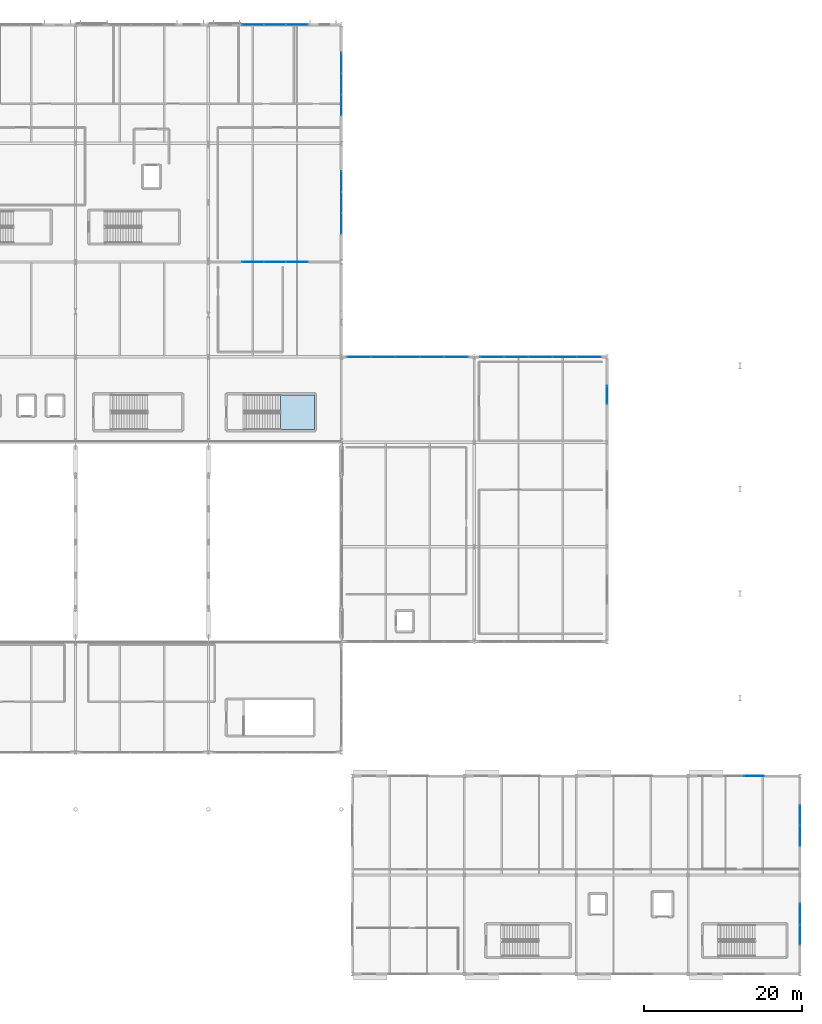
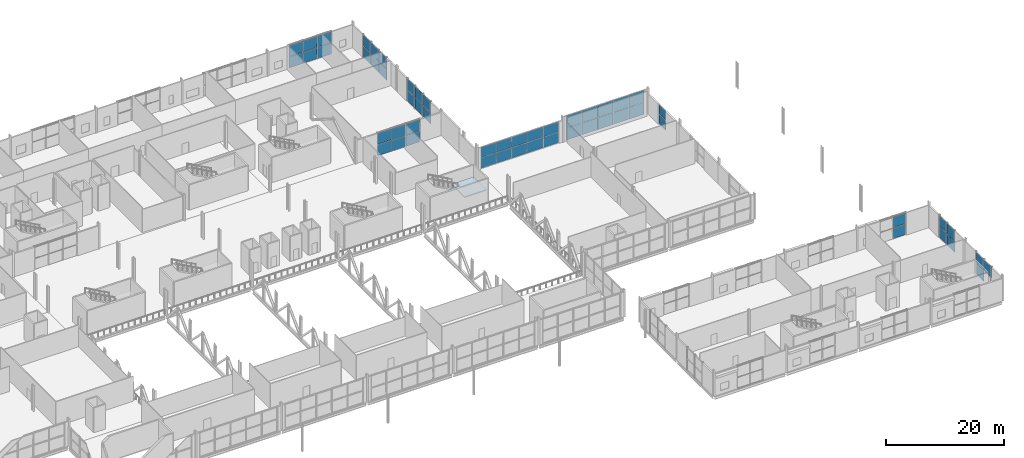
# One storey, part 53 of 84: 55 plates, 1 slab, 11 elements without a shape of their own.
"""IFC4 building model written with IfcOpenShell, lengths in metres."""

from ifc_helpers import new_model, si_unit, direction, frame, origin, origin_2d, place, context, subcontext, project, spatial, polyline, rectangle, outline, extrude, material, layer, layer_set, type_object, element, aggregate, save


model = new_model("IFC4")

# Units and contexts
model_context = context("Model", 3, precision=1e-05, world=origin(), true_north=direction((0.0, 1.0)))
body_context = subcontext(model_context, "Body", "Model", "MODEL_VIEW")
ifc_project = project(units=[si_unit("LENGTHUNIT", "METRE"), si_unit("AREAUNIT", "SQUARE_METRE"), si_unit("VOLUMEUNIT", "CUBIC_METRE"), si_unit("PLANEANGLEUNIT", "RADIAN"), si_unit("MASSUNIT", "GRAM", prefix="KILO")], contexts=[model_context])

# Site, building, storey
site_placement = place(None, origin())
site = spatial("IfcSite", under=ifc_project, at=site_placement, CompositionType="ELEMENT")
building_placement = place(site_placement, origin())
building = spatial("IfcBuilding", under=site, at=building_placement, Name="Kimbaza Rail Terminus", CompositionType="ELEMENT")
storey_placement = place(building_placement, frame((0.0, 0.0, 5.39990234375)))
storey = spatial("IfcBuildingStorey", under=building, at=storey_placement, Name="L01", CompositionType="ELEMENT", Elevation=5.39990234375)

# Curtain wall, plates
ifc_material_1 = material(Name="Anodised aluminium framing and solar low-E glazing", Category="aluminium")
curtain_wall_type_1 = type_object("IfcCurtainWallType", Name="ARC-CW-TH1", PredefinedType="USERDEFINED", material=ifc_material_1)
curtain_wall_1_placement = place(storey_placement, origin())
curtain_wall_1 = element("IfcCurtainWall", 1, at=curtain_wall_1_placement, inside=storey, type_object=curtain_wall_type_1, Name="Ticket Hall Wing E Curtain Wall L01.1", ObjectType="UNITISED CURTAIN WALL", PredefinedType="USERDEFINED")
ifc_material_2 = material(Name="Solar-control double low-E glazing", Category="glass")
ifc_layer_1 = layer(ifc_material_2, 0.035888671875)
ifc_layer_set_1 = layer_set([ifc_layer_1], Name="Solar-control double low-E glazing")
plate_type_1 = type_object("IfcPlateType", Name="ARC-CWP-01", PredefinedType="CURTAIN_PANEL", material=ifc_layer_set_1)
plate_1_placement = place(storey_placement, frame((158.274658203125, 91.0, 0.0751953125), z_axis=(0.0, 0.0, 1.0), x_axis=(1.0, 0.0, 0.0)))
plate_1 = element("IfcPlate", 2, at=plate_1_placement, type_object=plate_type_1, Name="CW-01 panel 1.1", PredefinedType="CURTAIN_PANEL", context=body_context, shape_type="SweptSolid", body=[
    extrude(rectangle(XDim=2.95947265625, YDim=0.035888671875, at=origin_2d()), origin(), (0.0, 0.0, 1.0), 2.1298828125),
])
plate_2_placement = place(storey_placement, frame((158.274658203125, 91.0, 2.2802734375), z_axis=(0.0, 0.0, 1.0), x_axis=(1.0, 0.0, 0.0)))
plate_2 = element("IfcPlate", 3, at=plate_2_placement, type_object=plate_type_1, Name="CW-01 panel 1.2", PredefinedType="CURTAIN_PANEL", context=body_context, shape_type="SweptSolid", body=[
    extrude(rectangle(XDim=2.95947265625, YDim=0.035888671875, at=origin_2d()), origin(), (0.0, 0.0, 1.0), 2.1298828125),
])
plate_3_placement = place(storey_placement, frame((161.327880859375, 91.0, 0.0751953125), z_axis=(0.0, 0.0, 1.0), x_axis=(1.0, 0.0, 0.0)))
plate_3 = element("IfcPlate", 4, at=plate_3_placement, type_object=plate_type_1, Name="CW-01 panel 2.1", PredefinedType="CURTAIN_PANEL", context=body_context, shape_type="SweptSolid", body=[
    extrude(rectangle(XDim=2.9970703125, YDim=0.035888671875, at=origin_2d()), origin(), (0.0, 0.0, 1.0), 2.1298828125),
])
plate_4_placement = place(storey_placement, frame((161.327880859375, 91.0, 2.2802734375), z_axis=(0.0, 0.0, 1.0), x_axis=(1.0, 0.0, 0.0)))
plate_4 = element("IfcPlate", 5, at=plate_4_placement, type_object=plate_type_1, Name="CW-01 panel 2.2", PredefinedType="CURTAIN_PANEL", context=body_context, shape_type="SweptSolid", body=[
    extrude(rectangle(XDim=2.9970703125, YDim=0.035888671875, at=origin_2d()), origin(), (0.0, 0.0, 1.0), 2.1298828125),
])
plate_5_placement = place(storey_placement, frame((164.39990234375, 91.0, 0.0751953125), z_axis=(0.0, 0.0, 1.0), x_axis=(1.0, 0.0, 0.0)))
plate_5 = element("IfcPlate", 6, at=plate_5_placement, type_object=plate_type_1, Name="CW-01 panel 3.1", PredefinedType="CURTAIN_PANEL", context=body_context, shape_type="SweptSolid", body=[
    extrude(rectangle(XDim=2.9970703125, YDim=0.035888671875, at=origin_2d()), origin(), (0.0, 0.0, 1.0), 2.1298828125),
])
plate_6_placement = place(storey_placement, frame((164.39990234375, 91.0, 2.2802734375), z_axis=(0.0, 0.0, 1.0), x_axis=(1.0, 0.0, 0.0)))
plate_6 = element("IfcPlate", 7, at=plate_6_placement, type_object=plate_type_1, Name="CW-01 panel 3.2", PredefinedType="CURTAIN_PANEL", context=body_context, shape_type="SweptSolid", body=[
    extrude(rectangle(XDim=2.9970703125, YDim=0.035888671875, at=origin_2d()), origin(), (0.0, 0.0, 1.0), 2.1298828125),
])
plate_7_placement = place(storey_placement, frame((167.471923828125, 91.0, 0.0751953125), z_axis=(0.0, 0.0, 1.0), x_axis=(1.0, 0.0, 0.0)))
plate_7 = element("IfcPlate", 8, at=plate_7_placement, type_object=plate_type_1, Name="CW-01 panel 4.1", PredefinedType="CURTAIN_PANEL", context=body_context, shape_type="SweptSolid", body=[
    extrude(rectangle(XDim=2.9970703125, YDim=0.035888671875, at=origin_2d()), origin(), (0.0, 0.0, 1.0), 2.1298828125),
])
plate_8_placement = place(storey_placement, frame((167.471923828125, 91.0, 2.2802734375), z_axis=(0.0, 0.0, 1.0), x_axis=(1.0, 0.0, 0.0)))
plate_8 = element("IfcPlate", 9, at=plate_8_placement, type_object=plate_type_1, Name="CW-01 panel 4.2", PredefinedType="CURTAIN_PANEL", context=body_context, shape_type="SweptSolid", body=[
    extrude(rectangle(XDim=2.9970703125, YDim=0.035888671875, at=origin_2d()), origin(), (0.0, 0.0, 1.0), 2.1298828125),
])
plate_9_placement = place(storey_placement, frame((170.525146484375, 91.0, 0.0751953125), z_axis=(0.0, 0.0, 1.0), x_axis=(1.0, 0.0, 0.0)))
plate_9 = element("IfcPlate", 10, at=plate_9_placement, type_object=plate_type_1, Name="CW-01 panel 5.1", PredefinedType="CURTAIN_PANEL", context=body_context, shape_type="SweptSolid", body=[
    extrude(rectangle(XDim=2.95947265625, YDim=0.035888671875, at=origin_2d()), origin(), (0.0, 0.0, 1.0), 2.1298828125),
])
plate_10_placement = place(storey_placement, frame((170.525146484375, 91.0, 2.2802734375), z_axis=(0.0, 0.0, 1.0), x_axis=(1.0, 0.0, 0.0)))
plate_10 = element("IfcPlate", 11, at=plate_10_placement, type_object=plate_type_1, Name="CW-01 panel 5.2", PredefinedType="CURTAIN_PANEL", context=body_context, shape_type="SweptSolid", body=[
    extrude(rectangle(XDim=2.95947265625, YDim=0.035888671875, at=origin_2d()), origin(), (0.0, 0.0, 1.0), 2.1298828125),
])
aggregate(curtain_wall_1, [plate_1, plate_2, plate_3, plate_4, plate_5, plate_6, plate_7, plate_8, plate_9, plate_10])

curtain_wall_2_placement = place(storey_placement, origin())
curtain_wall_2 = element("IfcCurtainWall", 12, at=curtain_wall_2_placement, inside=storey, type_object=curtain_wall_type_1, Name="Ticket Hall Wing E Curtain Wall L01.2", ObjectType="UNITISED CURTAIN WALL", PredefinedType="USERDEFINED")
plate_11_placement = place(storey_placement, frame((175.07470703125, 91.0, 0.0751953125), z_axis=(0.0, 0.0, 1.0), x_axis=(1.0, 0.0, 0.0)))
plate_11 = element("IfcPlate", 13, at=plate_11_placement, type_object=plate_type_1, Name="CW-01 panel 1.1", PredefinedType="CURTAIN_PANEL", context=body_context, shape_type="SweptSolid", body=[
    extrude(rectangle(XDim=2.95947265625, YDim=0.035888671875, at=origin_2d()), origin(), (0.0, 0.0, 1.0), 2.45751953125),
])
plate_12_placement = place(storey_placement, frame((175.07470703125, 91.0, 2.607666015625), z_axis=(0.0, 0.0, 1.0), x_axis=(1.0, 0.0, 0.0)))
plate_12 = element("IfcPlate", 14, at=plate_12_placement, type_object=plate_type_1, Name="CW-01 panel 1.2", PredefinedType="CURTAIN_PANEL", context=body_context, shape_type="SweptSolid", body=[
    extrude(rectangle(XDim=2.95947265625, YDim=0.035888671875, at=origin_2d()), origin(), (0.0, 0.0, 1.0), 2.45751953125),
])
plate_13_placement = place(storey_placement, frame((178.1279296875, 91.0, 0.0751953125), z_axis=(0.0, 0.0, 1.0), x_axis=(1.0, 0.0, 0.0)))
plate_13 = element("IfcPlate", 15, at=plate_13_placement, type_object=plate_type_1, Name="CW-01 panel 2.1", PredefinedType="CURTAIN_PANEL", context=body_context, shape_type="SweptSolid", body=[
    extrude(rectangle(XDim=2.9970703125, YDim=0.035888671875, at=origin_2d()), origin(), (0.0, 0.0, 1.0), 2.45751953125),
])
plate_14_placement = place(storey_placement, frame((178.1279296875, 91.0, 2.607666015625), z_axis=(0.0, 0.0, 1.0), x_axis=(1.0, 0.0, 0.0)))
plate_14 = element("IfcPlate", 16, at=plate_14_placement, type_object=plate_type_1, Name="CW-01 panel 2.2", PredefinedType="CURTAIN_PANEL", context=body_context, shape_type="SweptSolid", body=[
    extrude(rectangle(XDim=2.9970703125, YDim=0.035888671875, at=origin_2d()), origin(), (0.0, 0.0, 1.0), 2.45751953125),
])
plate_15_placement = place(storey_placement, frame((181.199951171875, 91.0, 0.0751953125), z_axis=(0.0, 0.0, 1.0), x_axis=(1.0, 0.0, 0.0)))
plate_15 = element("IfcPlate", 17, at=plate_15_placement, type_object=plate_type_1, Name="CW-01 panel 3.1", PredefinedType="CURTAIN_PANEL", context=body_context, shape_type="SweptSolid", body=[
    extrude(rectangle(XDim=2.9970703125, YDim=0.035888671875, at=origin_2d()), origin(), (0.0, 0.0, 1.0), 2.45751953125),
])
plate_16_placement = place(storey_placement, frame((181.199951171875, 91.0, 2.607666015625), z_axis=(0.0, 0.0, 1.0), x_axis=(1.0, 0.0, 0.0)))
plate_16 = element("IfcPlate", 18, at=plate_16_placement, type_object=plate_type_1, Name="CW-01 panel 3.2", PredefinedType="CURTAIN_PANEL", context=body_context, shape_type="SweptSolid", body=[
    extrude(rectangle(XDim=2.9970703125, YDim=0.035888671875, at=origin_2d()), origin(), (0.0, 0.0, 1.0), 2.45751953125),
])
plate_17_placement = place(storey_placement, frame((184.27197265625, 91.0, 0.0751953125), z_axis=(0.0, 0.0, 1.0), x_axis=(1.0, 0.0, 0.0)))
plate_17 = element("IfcPlate", 19, at=plate_17_placement, type_object=plate_type_1, Name="CW-01 panel 4.1", PredefinedType="CURTAIN_PANEL", context=body_context, shape_type="SweptSolid", body=[
    extrude(rectangle(XDim=2.9970703125, YDim=0.035888671875, at=origin_2d()), origin(), (0.0, 0.0, 1.0), 2.45751953125),
])
plate_18_placement = place(storey_placement, frame((184.27197265625, 91.0, 2.607666015625), z_axis=(0.0, 0.0, 1.0), x_axis=(1.0, 0.0, 0.0)))
plate_18 = element("IfcPlate", 20, at=plate_18_placement, type_object=plate_type_1, Name="CW-01 panel 4.2", PredefinedType="CURTAIN_PANEL", context=body_context, shape_type="SweptSolid", body=[
    extrude(rectangle(XDim=2.9970703125, YDim=0.035888671875, at=origin_2d()), origin(), (0.0, 0.0, 1.0), 2.45751953125),
])
plate_19_placement = place(storey_placement, frame((187.3251953125, 91.0, 0.0751953125), z_axis=(0.0, 0.0, 1.0), x_axis=(1.0, 0.0, 0.0)))
plate_19 = element("IfcPlate", 21, at=plate_19_placement, type_object=plate_type_1, Name="CW-01 panel 5.1", PredefinedType="CURTAIN_PANEL", context=body_context, shape_type="SweptSolid", body=[
    extrude(rectangle(XDim=2.95947265625, YDim=0.035888671875, at=origin_2d()), origin(), (0.0, 0.0, 1.0), 2.45751953125),
])
plate_20_placement = place(storey_placement, frame((187.3251953125, 91.0, 2.607666015625), z_axis=(0.0, 0.0, 1.0), x_axis=(1.0, 0.0, 0.0)))
plate_20 = element("IfcPlate", 22, at=plate_20_placement, type_object=plate_type_1, Name="CW-01 panel 5.2", PredefinedType="CURTAIN_PANEL", context=body_context, shape_type="SweptSolid", body=[
    extrude(rectangle(XDim=2.95947265625, YDim=0.035888671875, at=origin_2d()), origin(), (0.0, 0.0, 1.0), 2.45751953125),
])
aggregate(curtain_wall_2, [plate_11, plate_12, plate_13, plate_14, plate_15, plate_16, plate_17, plate_18, plate_19, plate_20])

curtain_wall_3_placement = place(storey_placement, origin())
curtain_wall_3 = element("IfcCurtainWall", 23, at=curtain_wall_3_placement, inside=storey, type_object=curtain_wall_type_1, Name="Ticket Hall E Glazing L01.3", ObjectType="UNITISED CURTAIN WALL", PredefinedType="USERDEFINED")
plate_21_placement = place(storey_placement, frame((189.60009765625, 86.199951171875, 0.0751953125), z_axis=(0.0, 0.0, 1.0), x_axis=(0.0, 1.0, 0.0)))
plate_21 = element("IfcPlate", 24, at=plate_21_placement, type_object=plate_type_1, Name="CW-01 panel 1.1", PredefinedType="CURTAIN_PANEL", context=body_context, shape_type="SweptSolid", body=[
    extrude(rectangle(XDim=2.25, YDim=0.035888671875, at=origin_2d()), origin(), (0.0, 0.0, 1.0), 1.949951171875),
])
plate_22_placement = place(storey_placement, frame((189.60009765625, 86.199951171875, 2.10009765625), z_axis=(0.0, 0.0, 1.0), x_axis=(0.0, 1.0, 0.0)))
plate_22 = element("IfcPlate", 25, at=plate_22_placement, type_object=plate_type_1, Name="CW-01 panel 1.2", PredefinedType="CURTAIN_PANEL", context=body_context, shape_type="SweptSolid", body=[
    extrude(rectangle(XDim=2.25, YDim=0.035888671875, at=origin_2d()), origin(), (0.0, 0.0, 1.0), 1.949951171875),
])
aggregate(curtain_wall_3, [plate_21, plate_22])

ifc_material_3 = material(Name="Anodised aluminium framing and solar low-E glazing", Category="aluminium")
curtain_wall_type_2 = type_object("IfcCurtainWallType", Name="ARC-CW-PV1", PredefinedType="USERDEFINED", material=ifc_material_3)
curtain_wall_4_placement = place(storey_placement, origin())
curtain_wall_4 = element("IfcCurtainWall", 26, at=curtain_wall_4_placement, inside=storey, type_object=curtain_wall_type_2, Name="Pavilion N Curtain Wall L01.4", ObjectType="STICK CURTAIN WALL", PredefinedType="USERDEFINED")
ifc_material_4 = material(Name="Solar-control double low-E glazing", Category="glass")
ifc_layer_2 = layer(ifc_material_4, 0.027099609375)
ifc_layer_set_2 = layer_set([ifc_layer_2], Name="Solar-control double low-E glazing")
plate_type_2 = type_object("IfcPlateType", Name="ARC-CWP-04", PredefinedType="CURTAIN_PANEL", material=ifc_layer_set_2)
plate_23_placement = place(storey_placement, frame((208.1962890625, 38.0, 0.06494140625), z_axis=(0.0, 0.0, 1.0), x_axis=(1.0, 0.0, 0.0)))
plate_23 = element("IfcPlate", 27, at=plate_23_placement, type_object=plate_type_2, Name="CW-04 panel 2.1", PredefinedType="CURTAIN_PANEL", context=body_context, shape_type="SweptSolid", body=[
    extrude(rectangle(XDim=2.4775390625, YDim=0.027099609375, at=origin_2d()), origin(), (0.0, 0.0, 1.0), 2.215087890625),
])
plate_24_placement = place(storey_placement, frame((208.1962890625, 38.0, 2.34521484375), z_axis=(0.0, 0.0, 1.0), x_axis=(1.0, 0.0, 0.0)))
plate_24 = element("IfcPlate", 28, at=plate_24_placement, type_object=plate_type_2, Name="CW-04 panel 2.2", PredefinedType="CURTAIN_PANEL", context=body_context, shape_type="SweptSolid", body=[
    extrude(rectangle(XDim=2.4775390625, YDim=0.027099609375, at=origin_2d()), origin(), (0.0, 0.0, 1.0), 2.215087890625),
])
aggregate(curtain_wall_4, [plate_23, plate_24])

curtain_wall_5_placement = place(storey_placement, origin())
curtain_wall_5 = element("IfcCurtainWall", 29, at=curtain_wall_5_placement, inside=storey, type_object=curtain_wall_type_2, Name="Pavilion E Curtain Wall L01.1", ObjectType="STICK CURTAIN WALL", PredefinedType="USERDEFINED")
plate_25_placement = place(storey_placement, frame((214.0, 17.941162109375, 2.3701171875), z_axis=(0.0, 0.0, 1.0), x_axis=(0.0, 1.0, 0.0)))
plate_25 = element("IfcPlate", 30, at=plate_25_placement, type_object=plate_type_2, Name="CW-04 panel 1.2", PredefinedType="CURTAIN_PANEL", context=body_context, shape_type="SweptSolid", body=[
    extrude(rectangle(XDim=2.552490234375, YDim=0.027099609375, at=origin_2d()), origin(), (0.0, 0.0, 1.0), 2.239990234375),
])
plate_26_placement = place(storey_placement, frame((214.0, 20.558837890625, 0.06494140625), z_axis=(0.0, 0.0, 1.0), x_axis=(0.0, 1.0, 0.0)))
plate_26 = element("IfcPlate", 31, at=plate_26_placement, type_object=plate_type_2, Name="CW-04 panel 2.1", PredefinedType="CURTAIN_PANEL", context=body_context, shape_type="SweptSolid", body=[
    extrude(rectangle(XDim=2.552490234375, YDim=0.027099609375, at=origin_2d()), origin(), (0.0, 0.0, 1.0), 2.239990234375),
])
plate_27_placement = place(storey_placement, frame((214.0, 20.558837890625, 2.3701171875), z_axis=(0.0, 0.0, 1.0), x_axis=(0.0, 1.0, 0.0)))
plate_27 = element("IfcPlate", 32, at=plate_27_placement, type_object=plate_type_2, Name="CW-04 panel 2.2", PredefinedType="CURTAIN_PANEL", context=body_context, shape_type="SweptSolid", body=[
    extrude(rectangle(XDim=2.552490234375, YDim=0.027099609375, at=origin_2d()), origin(), (0.0, 0.0, 1.0), 2.239990234375),
])
aggregate(curtain_wall_5, [plate_25, plate_26, plate_27])

curtain_wall_6_placement = place(storey_placement, origin())
curtain_wall_6 = element("IfcCurtainWall", 33, at=curtain_wall_6_placement, inside=storey, type_object=curtain_wall_type_2, Name="Pavilion E Curtain Wall L01.2", ObjectType="STICK CURTAIN WALL", PredefinedType="USERDEFINED")
plate_28_placement = place(storey_placement, frame((214.0, 30.441162109375, 0.06494140625), z_axis=(0.0, 0.0, 1.0), x_axis=(0.0, 1.0, 0.0)))
plate_28 = element("IfcPlate", 34, at=plate_28_placement, type_object=plate_type_2, Name="CW-04 panel 1.1", PredefinedType="CURTAIN_PANEL", context=body_context, shape_type="SweptSolid", body=[
    extrude(rectangle(XDim=2.552490234375, YDim=0.027099609375, at=origin_2d()), origin(), (0.0, 0.0, 1.0), 2.239990234375),
])
plate_29_placement = place(storey_placement, frame((214.0, 30.441162109375, 2.3701171875), z_axis=(0.0, 0.0, 1.0), x_axis=(0.0, 1.0, 0.0)))
plate_29 = element("IfcPlate", 35, at=plate_29_placement, type_object=plate_type_2, Name="CW-04 panel 1.2", PredefinedType="CURTAIN_PANEL", context=body_context, shape_type="SweptSolid", body=[
    extrude(rectangle(XDim=2.552490234375, YDim=0.027099609375, at=origin_2d()), origin(), (0.0, 0.0, 1.0), 2.239990234375),
])
plate_30_placement = place(storey_placement, frame((214.0, 33.058837890625, 0.06494140625), z_axis=(0.0, 0.0, 1.0), x_axis=(0.0, 1.0, 0.0)))
plate_30 = element("IfcPlate", 36, at=plate_30_placement, type_object=plate_type_2, Name="CW-04 panel 2.1", PredefinedType="CURTAIN_PANEL", context=body_context, shape_type="SweptSolid", body=[
    extrude(rectangle(XDim=2.552490234375, YDim=0.027099609375, at=origin_2d()), origin(), (0.0, 0.0, 1.0), 2.239990234375),
])
plate_31_placement = place(storey_placement, frame((214.0, 33.058837890625, 2.3701171875), z_axis=(0.0, 0.0, 1.0), x_axis=(0.0, 1.0, 0.0)))
plate_31 = element("IfcPlate", 37, at=plate_31_placement, type_object=plate_type_2, Name="CW-04 panel 2.2", PredefinedType="CURTAIN_PANEL", context=body_context, shape_type="SweptSolid", body=[
    extrude(rectangle(XDim=2.552490234375, YDim=0.027099609375, at=origin_2d()), origin(), (0.0, 0.0, 1.0), 2.239990234375),
])
aggregate(curtain_wall_6, [plate_28, plate_29, plate_30, plate_31])

ifc_material_5 = material(Name="Anodised aluminium framing and solar low-E glazing", Category="aluminium")
curtain_wall_type_3 = type_object("IfcCurtainWallType", Name="ARC-CW-OP1", PredefinedType="USERDEFINED", material=ifc_material_5)
curtain_wall_7_placement = place(storey_placement, origin())
curtain_wall_7 = element("IfcCurtainWall", 38, at=curtain_wall_7_placement, inside=storey, type_object=curtain_wall_type_3, Name="Operations North Curtain Wall L01 Bay 6", ObjectType="UNITISED CURTAIN WALL", PredefinedType="USERDEFINED")
ifc_material_6 = material(Name="Solar-control double low-E glazing", Category="glass")
ifc_layer_3 = layer(ifc_material_6, 0.02490234375)
ifc_layer_set_3 = layer_set([ifc_layer_3], Name="Solar-control double low-E glazing")
plate_type_3 = type_object("IfcPlateType", Name="ARC-CWP-05", PredefinedType="CURTAIN_PANEL", material=ifc_layer_set_3)
plate_32_placement = place(storey_placement, frame((144.8154296875, 133.0, 0.06201171875), z_axis=(0.0, 0.0, 1.0), x_axis=(1.0, 0.0, 0.0)))
plate_32 = element("IfcPlate", 39, at=plate_32_placement, type_object=plate_type_3, Name="CW-05 panel 1.1", PredefinedType="CURTAIN_PANEL", context=body_context, shape_type="SweptSolid", body=[
    extrude(rectangle(XDim=2.70703125, YDim=0.02490234375, at=origin_2d()), origin(), (0.0, 0.0, 1.0), 2.28955078125),
])
plate_33_placement = place(storey_placement, frame((144.8154296875, 133.0, 2.41357421875), z_axis=(0.0, 0.0, 1.0), x_axis=(1.0, 0.0, 0.0)))
plate_33 = element("IfcPlate", 40, at=plate_33_placement, type_object=plate_type_3, Name="CW-05 panel 1.2", PredefinedType="CURTAIN_PANEL", context=body_context, shape_type="SweptSolid", body=[
    extrude(rectangle(XDim=2.70703125, YDim=0.02490234375, at=origin_2d()), origin(), (0.0, 0.0, 1.0), 2.28955078125),
])
plate_34_placement = place(storey_placement, frame((147.60009765625, 133.0, 0.06201171875), z_axis=(0.0, 0.0, 1.0), x_axis=(1.0, 0.0, 0.0)))
plate_34 = element("IfcPlate", 41, at=plate_34_placement, type_object=plate_type_3, Name="CW-05 panel 2.1", PredefinedType="CURTAIN_PANEL", context=body_context, shape_type="SweptSolid", body=[
    extrude(rectangle(XDim=2.738037109375, YDim=0.02490234375, at=origin_2d()), origin(), (0.0, 0.0, 1.0), 2.28955078125),
])
plate_35_placement = place(storey_placement, frame((147.60009765625, 133.0, 2.41357421875), z_axis=(0.0, 0.0, 1.0), x_axis=(1.0, 0.0, 0.0)))
plate_35 = element("IfcPlate", 42, at=plate_35_placement, type_object=plate_type_3, Name="CW-05 panel 2.2", PredefinedType="CURTAIN_PANEL", context=body_context, shape_type="SweptSolid", body=[
    extrude(rectangle(XDim=2.738037109375, YDim=0.02490234375, at=origin_2d()), origin(), (0.0, 0.0, 1.0), 2.28955078125),
])
plate_36_placement = place(storey_placement, frame((150.384521484375, 133.0, 0.06201171875), z_axis=(0.0, 0.0, 1.0), x_axis=(1.0, 0.0, 0.0)))
plate_36 = element("IfcPlate", 43, at=plate_36_placement, type_object=plate_type_3, Name="CW-05 panel 3.1", PredefinedType="CURTAIN_PANEL", context=body_context, shape_type="SweptSolid", body=[
    extrude(rectangle(XDim=2.70703125, YDim=0.02490234375, at=origin_2d()), origin(), (0.0, 0.0, 1.0), 2.28955078125),
])
plate_37_placement = place(storey_placement, frame((150.384521484375, 133.0, 2.41357421875), z_axis=(0.0, 0.0, 1.0), x_axis=(1.0, 0.0, 0.0)))
plate_37 = element("IfcPlate", 44, at=plate_37_placement, type_object=plate_type_3, Name="CW-05 panel 3.2", PredefinedType="CURTAIN_PANEL", context=body_context, shape_type="SweptSolid", body=[
    extrude(rectangle(XDim=2.70703125, YDim=0.02490234375, at=origin_2d()), origin(), (0.0, 0.0, 1.0), 2.28955078125),
])
aggregate(curtain_wall_7, [plate_32, plate_33, plate_34, plate_35, plate_36, plate_37])

curtain_wall_8_placement = place(storey_placement, origin())
curtain_wall_8 = element("IfcCurtainWall", 45, at=curtain_wall_8_placement, inside=storey, type_object=curtain_wall_type_3, Name="Operations South Curtain Wall L01 Bay 6", ObjectType="UNITISED CURTAIN WALL", PredefinedType="USERDEFINED")
plate_38_placement = place(storey_placement, frame((144.8154296875, 103.0, 0.06201171875), z_axis=(0.0, 0.0, 1.0), x_axis=(1.0, 0.0, 0.0)))
plate_38 = element("IfcPlate", 46, at=plate_38_placement, type_object=plate_type_3, Name="CW-05 panel 1.1", PredefinedType="CURTAIN_PANEL", context=body_context, shape_type="SweptSolid", body=[
    extrude(rectangle(XDim=2.70703125, YDim=0.02490234375, at=origin_2d()), origin(), (0.0, 0.0, 1.0), 2.28955078125),
])
plate_39_placement = place(storey_placement, frame((144.8154296875, 103.0, 2.41357421875), z_axis=(0.0, 0.0, 1.0), x_axis=(1.0, 0.0, 0.0)))
plate_39 = element("IfcPlate", 47, at=plate_39_placement, type_object=plate_type_3, Name="CW-05 panel 1.2", PredefinedType="CURTAIN_PANEL", context=body_context, shape_type="SweptSolid", body=[
    extrude(rectangle(XDim=2.70703125, YDim=0.02490234375, at=origin_2d()), origin(), (0.0, 0.0, 1.0), 2.28955078125),
])
plate_40_placement = place(storey_placement, frame((147.60009765625, 103.0, 0.06201171875), z_axis=(0.0, 0.0, 1.0), x_axis=(1.0, 0.0, 0.0)))
plate_40 = element("IfcPlate", 48, at=plate_40_placement, type_object=plate_type_3, Name="CW-05 panel 2.1", PredefinedType="CURTAIN_PANEL", context=body_context, shape_type="SweptSolid", body=[
    extrude(rectangle(XDim=2.738037109375, YDim=0.02490234375, at=origin_2d()), origin(), (0.0, 0.0, 1.0), 2.28955078125),
])
plate_41_placement = place(storey_placement, frame((147.60009765625, 103.0, 2.41357421875), z_axis=(0.0, 0.0, 1.0), x_axis=(1.0, 0.0, 0.0)))
plate_41 = element("IfcPlate", 49, at=plate_41_placement, type_object=plate_type_3, Name="CW-05 panel 2.2", PredefinedType="CURTAIN_PANEL", context=body_context, shape_type="SweptSolid", body=[
    extrude(rectangle(XDim=2.738037109375, YDim=0.02490234375, at=origin_2d()), origin(), (0.0, 0.0, 1.0), 2.28955078125),
])
plate_42_placement = place(storey_placement, frame((150.384521484375, 103.0, 0.06201171875), z_axis=(0.0, 0.0, 1.0), x_axis=(1.0, 0.0, 0.0)))
plate_42 = element("IfcPlate", 50, at=plate_42_placement, type_object=plate_type_3, Name="CW-05 panel 3.1", PredefinedType="CURTAIN_PANEL", context=body_context, shape_type="SweptSolid", body=[
    extrude(rectangle(XDim=2.70703125, YDim=0.02490234375, at=origin_2d()), origin(), (0.0, 0.0, 1.0), 2.28955078125),
])
plate_43_placement = place(storey_placement, frame((150.384521484375, 103.0, 2.41357421875), z_axis=(0.0, 0.0, 1.0), x_axis=(1.0, 0.0, 0.0)))
plate_43 = element("IfcPlate", 51, at=plate_43_placement, type_object=plate_type_3, Name="CW-05 panel 3.2", PredefinedType="CURTAIN_PANEL", context=body_context, shape_type="SweptSolid", body=[
    extrude(rectangle(XDim=2.70703125, YDim=0.02490234375, at=origin_2d()), origin(), (0.0, 0.0, 1.0), 2.28955078125),
])
aggregate(curtain_wall_8, [plate_38, plate_39, plate_40, plate_41, plate_42, plate_43])

curtain_wall_9_placement = place(storey_placement, origin())
curtain_wall_9 = element("IfcCurtainWall", 52, at=curtain_wall_9_placement, inside=storey, type_object=curtain_wall_type_3, Name="Operations E Curtain Wall L01.1", ObjectType="UNITISED CURTAIN WALL", PredefinedType="USERDEFINED")
plate_44_placement = place(storey_placement, frame((156.0, 107.848876953125, 0.06201171875), z_axis=(0.0, 0.0, 1.0), x_axis=(0.0, 1.0, 0.0)))
plate_44 = element("IfcPlate", 53, at=plate_44_placement, type_object=plate_type_3, Name="CW-05 panel 1.1", PredefinedType="CURTAIN_PANEL", context=body_context, shape_type="SweptSolid", body=[
    extrude(rectangle(XDim=2.57373046875, YDim=0.02490234375, at=origin_2d()), origin(), (0.0, 0.0, 1.0), 2.28955078125),
])
plate_45_placement = place(storey_placement, frame((156.0, 107.848876953125, 2.41357421875), z_axis=(0.0, 0.0, 1.0), x_axis=(0.0, 1.0, 0.0)))
plate_45 = element("IfcPlate", 54, at=plate_45_placement, type_object=plate_type_3, Name="CW-05 panel 1.2", PredefinedType="CURTAIN_PANEL", context=body_context, shape_type="SweptSolid", body=[
    extrude(rectangle(XDim=2.57373046875, YDim=0.02490234375, at=origin_2d()), origin(), (0.0, 0.0, 1.0), 2.28955078125),
])
plate_46_placement = place(storey_placement, frame((156.0, 110.5, 0.06201171875), z_axis=(0.0, 0.0, 1.0), x_axis=(0.0, 1.0, 0.0)))
plate_46 = element("IfcPlate", 55, at=plate_46_placement, type_object=plate_type_3, Name="CW-05 panel 2.1", PredefinedType="CURTAIN_PANEL", context=body_context, shape_type="SweptSolid", body=[
    extrude(rectangle(XDim=2.604736328125, YDim=0.02490234375, at=origin_2d()), origin(), (0.0, 0.0, 1.0), 2.28955078125),
])
plate_47_placement = place(storey_placement, frame((156.0, 110.5, 2.41357421875), z_axis=(0.0, 0.0, 1.0), x_axis=(0.0, 1.0, 0.0)))
plate_47 = element("IfcPlate", 56, at=plate_47_placement, type_object=plate_type_3, Name="CW-05 panel 2.2", PredefinedType="CURTAIN_PANEL", context=body_context, shape_type="SweptSolid", body=[
    extrude(rectangle(XDim=2.604736328125, YDim=0.02490234375, at=origin_2d()), origin(), (0.0, 0.0, 1.0), 2.28955078125),
])
plate_48_placement = place(storey_placement, frame((156.0, 113.151123046875, 0.06201171875), z_axis=(0.0, 0.0, 1.0), x_axis=(0.0, 1.0, 0.0)))
plate_48 = element("IfcPlate", 57, at=plate_48_placement, type_object=plate_type_3, Name="CW-05 panel 3.1", PredefinedType="CURTAIN_PANEL", context=body_context, shape_type="SweptSolid", body=[
    extrude(rectangle(XDim=2.57373046875, YDim=0.02490234375, at=origin_2d()), origin(), (0.0, 0.0, 1.0), 2.28955078125),
])
plate_49_placement = place(storey_placement, frame((156.0, 113.151123046875, 2.41357421875), z_axis=(0.0, 0.0, 1.0), x_axis=(0.0, 1.0, 0.0)))
plate_49 = element("IfcPlate", 58, at=plate_49_placement, type_object=plate_type_3, Name="CW-05 panel 3.2", PredefinedType="CURTAIN_PANEL", context=body_context, shape_type="SweptSolid", body=[
    extrude(rectangle(XDim=2.57373046875, YDim=0.02490234375, at=origin_2d()), origin(), (0.0, 0.0, 1.0), 2.28955078125),
])
aggregate(curtain_wall_9, [plate_44, plate_45, plate_46, plate_47, plate_48, plate_49])

curtain_wall_10_placement = place(storey_placement, origin())
curtain_wall_10 = element("IfcCurtainWall", 59, at=curtain_wall_10_placement, inside=storey, type_object=curtain_wall_type_3, Name="Operations E Curtain Wall L01.2", ObjectType="UNITISED CURTAIN WALL", PredefinedType="USERDEFINED")
plate_50_placement = place(storey_placement, frame((156.0, 122.848876953125, 0.06201171875), z_axis=(0.0, 0.0, 1.0), x_axis=(0.0, 1.0, 0.0)))
plate_50 = element("IfcPlate", 60, at=plate_50_placement, type_object=plate_type_3, Name="CW-05 panel 1.1", PredefinedType="CURTAIN_PANEL", context=body_context, shape_type="SweptSolid", body=[
    extrude(rectangle(XDim=2.57373046875, YDim=0.02490234375, at=origin_2d()), origin(), (0.0, 0.0, 1.0), 2.28955078125),
])
plate_51_placement = place(storey_placement, frame((156.0, 122.848876953125, 2.41357421875), z_axis=(0.0, 0.0, 1.0), x_axis=(0.0, 1.0, 0.0)))
plate_51 = element("IfcPlate", 61, at=plate_51_placement, type_object=plate_type_3, Name="CW-05 panel 1.2", PredefinedType="CURTAIN_PANEL", context=body_context, shape_type="SweptSolid", body=[
    extrude(rectangle(XDim=2.57373046875, YDim=0.02490234375, at=origin_2d()), origin(), (0.0, 0.0, 1.0), 2.28955078125),
])
plate_52_placement = place(storey_placement, frame((156.0, 125.5, 0.06201171875), z_axis=(0.0, 0.0, 1.0), x_axis=(0.0, 1.0, 0.0)))
plate_52 = element("IfcPlate", 62, at=plate_52_placement, type_object=plate_type_3, Name="CW-05 panel 2.1", PredefinedType="CURTAIN_PANEL", context=body_context, shape_type="SweptSolid", body=[
    extrude(rectangle(XDim=2.604736328125, YDim=0.02490234375, at=origin_2d()), origin(), (0.0, 0.0, 1.0), 2.28955078125),
])
plate_53_placement = place(storey_placement, frame((156.0, 125.5, 2.41357421875), z_axis=(0.0, 0.0, 1.0), x_axis=(0.0, 1.0, 0.0)))
plate_53 = element("IfcPlate", 63, at=plate_53_placement, type_object=plate_type_3, Name="CW-05 panel 2.2", PredefinedType="CURTAIN_PANEL", context=body_context, shape_type="SweptSolid", body=[
    extrude(rectangle(XDim=2.604736328125, YDim=0.02490234375, at=origin_2d()), origin(), (0.0, 0.0, 1.0), 2.28955078125),
])
plate_54_placement = place(storey_placement, frame((156.0, 128.151123046875, 0.06201171875), z_axis=(0.0, 0.0, 1.0), x_axis=(0.0, 1.0, 0.0)))
plate_54 = element("IfcPlate", 64, at=plate_54_placement, type_object=plate_type_3, Name="CW-05 panel 3.1", PredefinedType="CURTAIN_PANEL", context=body_context, shape_type="SweptSolid", body=[
    extrude(rectangle(XDim=2.57373046875, YDim=0.02490234375, at=origin_2d()), origin(), (0.0, 0.0, 1.0), 2.28955078125),
])
plate_55_placement = place(storey_placement, frame((156.0, 128.151123046875, 2.41357421875), z_axis=(0.0, 0.0, 1.0), x_axis=(0.0, 1.0, 0.0)))
plate_55 = element("IfcPlate", 65, at=plate_55_placement, type_object=plate_type_3, Name="CW-05 panel 3.2", PredefinedType="CURTAIN_PANEL", context=body_context, shape_type="SweptSolid", body=[
    extrude(rectangle(XDim=2.57373046875, YDim=0.02490234375, at=origin_2d()), origin(), (0.0, 0.0, 1.0), 2.28955078125),
])
aggregate(curtain_wall_10, [plate_50, plate_51, plate_52, plate_53, plate_54, plate_55])

# Stair, slab
ifc_material_7 = material(Name="Concrete C40/50", Category="concrete")
stair_type = type_object("IfcStairType", Name="ARC-STR-06", PredefinedType="HALF_TURN_STAIR", material=ifc_material_7)
stair_placement = place(storey_placement, origin())
stair = element("IfcStair", 66, at=stair_placement, inside=storey, type_object=stair_type, Name="L01 Platform East Concourse Stair", PredefinedType="HALF_TURN_STAIR")
ifc_material_8 = material(Name="Concrete C40/50", Category="concrete")
ifc_layer_4 = layer(ifc_material_8, 0.199951171875)
ifc_layer_set_4 = layer_set([ifc_layer_4], Name="Concrete C40/50")
slab_type = type_object("IfcSlabType", Name="STR-SL-LND200", PredefinedType="LANDING", material=ifc_layer_set_4)
slab_placement = place(storey_placement, frame((0.0, 0.0, 2.5)))
slab = element("IfcSlab", 67, at=slab_placement, type_object=slab_type, Name="ST-C2 landing 1", PredefinedType="LANDING", context=body_context, shape_type="SweptSolid", body=[
    extrude(outline(polyline([(148.320068359375, 81.800048828125), (152.60009765625, 81.800048828125), (152.60009765625, 86.199951171875), (148.320068359375, 86.199951171875), (148.320068359375, 81.800048828125)])), origin(), (0.0, 0.0, 1.0), 0.2001953125),
])
aggregate(stair, [slab])

save(model, "model.ifc")
